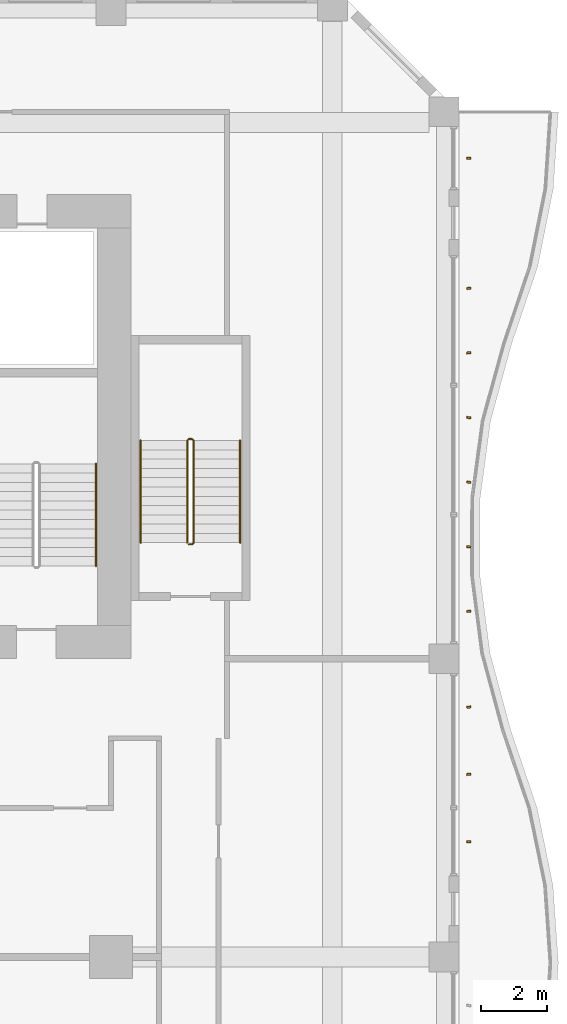
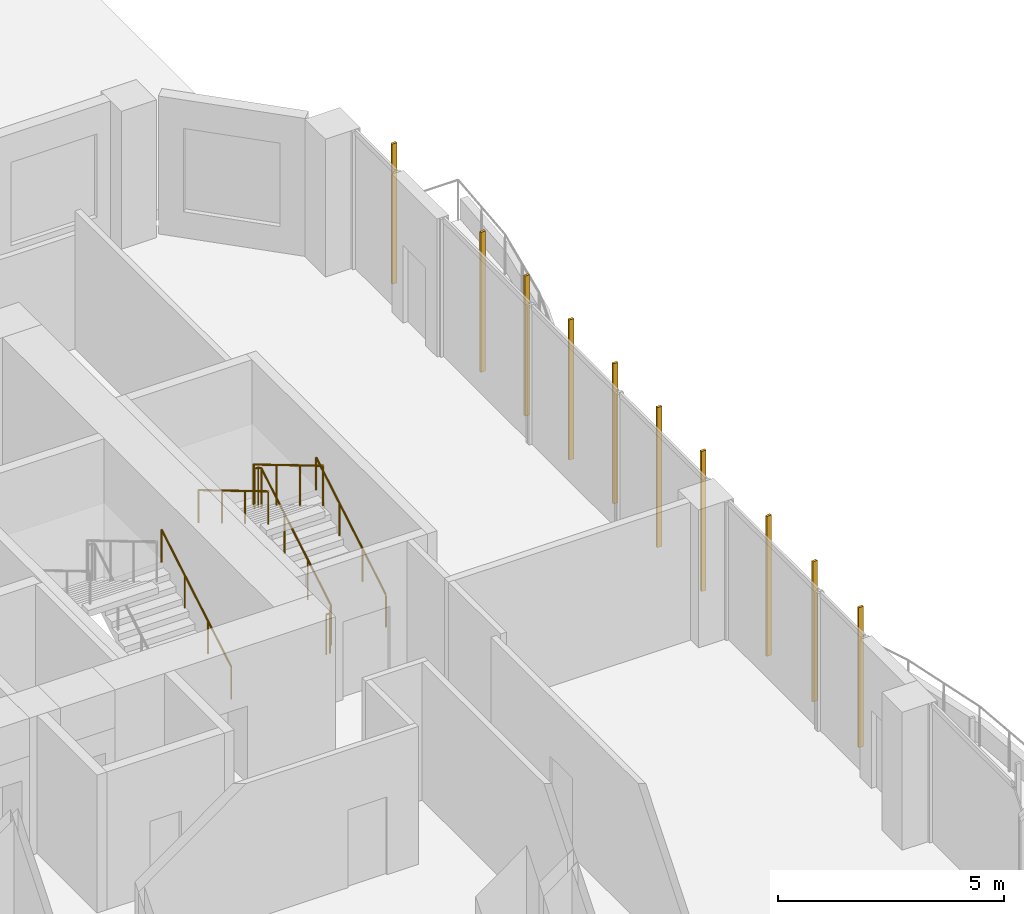
# One storey, part 29 of 29: 10 shading devices, 4 railings.
"""IFC4 building model written with IfcOpenShell, lengths in metres."""

import ifcopenshell
import ifcopenshell.guid

model = None  # the IFC model being written
_history = None  # IfcOwnerHistory: only IFC2X3 demands one
_inside = {}  # id of a spatial element -> (the spatial element, [elements in it])
_under = {}  # id of a project, library or spatial element -> (it, [spatial elements below it])
_declared = {}  # id of a project -> (the project, [libraries it declares])
_typed = {}  # id of a type object -> (the type object, [elements of that type])
_made_of = {}  # id of a material, layer set ... -> (it, [elements and type objects made of it])


def new_model(schema):
    """Start an empty IFC model of exactly this schema.

    Asked for "IFC4X3", IfcOpenShell would pick the latest addendum, in which some entities
    have other attributes; the version numbers below select the first issue.
    IFC2X3 requires an IfcOwnerHistory on every rooted entity: one is made here for all.
    """
    global model, _history
    if schema == "IFC4X3":
        model = ifcopenshell.file(schema_version=(4, 3, 0, 0))
    else:
        model = ifcopenshell.file(schema=schema)
    _inside.clear()
    _under.clear()
    _declared.clear()
    _typed.clear()
    _made_of.clear()
    _history = None
    if model.schema == "IFC2X3":
        org = make("IfcOrganization", Name="unknown")
        user = make(
            "IfcPersonAndOrganization",
            ThePerson=make("IfcPerson", FamilyName="unknown"),
            TheOrganization=org,
        )
        app = make(
            "IfcApplication",
            ApplicationDeveloper=org,
            Version="unknown",
            ApplicationFullName="unknown",
            ApplicationIdentifier="unknown",
        )
        _history = make(
            "IfcOwnerHistory",
            OwningUser=user,
            OwningApplication=app,
            ChangeAction="ADDED",
            CreationDate=0,
        )
    return model


def make(cls, **values):
    """One entity of the class cls with the attributes given. An attribute that is None is left unset."""
    return model.create_entity(
        cls, **{name: value for name, value in values.items() if value is not None}
    )


def rooted(cls, **values):
    """An entity with a GlobalId (a new one), such as an element, a storey or a relation."""
    return make(cls, GlobalId=ifcopenshell.guid.new(), OwnerHistory=_history, **values)


def si_unit(unit_type, name, prefix=None):
    """IfcSIUnit, for example si_unit("LENGTHUNIT", "METRE", prefix="MILLI")."""
    return make("IfcSIUnit", UnitType=unit_type, Prefix=prefix, Name=name)


def assignment(units):
    """IfcUnitAssignment: the units of a project."""
    return None if units is None else make("IfcUnitAssignment", Units=units)


def point(xyz):
    """IfcCartesianPoint."""
    return None if xyz is None else make("IfcCartesianPoint", Coordinates=xyz)


def direction(xyz):
    """IfcDirection."""
    return None if xyz is None else make("IfcDirection", DirectionRatios=xyz)


def frame(location, z_axis=None, x_axis=None):
    """IfcAxis2Placement3D, a coordinate frame: its origin and axes. An axis left out is left unset."""
    return make(
        "IfcAxis2Placement3D",
        Location=point(location),
        Axis=direction(z_axis),
        RefDirection=direction(x_axis),
    )


def frame_2d(location, x_axis=None):
    """IfcAxis2Placement2D, a coordinate frame in the plane: its origin and x axis."""
    return make(
        "IfcAxis2Placement2D", Location=point(location), RefDirection=direction(x_axis)
    )


def origin():
    """The frame at (0, 0, 0) with its axes left unset."""
    return frame((0.0, 0.0, 0.0))


def origin_2d():
    """The frame at (0, 0) in the plane with its x axis left unset."""
    return frame_2d((0.0, 0.0))


def place(relative_to, where):
    """IfcLocalPlacement: puts the frame where relative to a parent placement (None: the world)."""
    return make(
        "IfcLocalPlacement", PlacementRelTo=relative_to, RelativePlacement=where
    )


def context(
    kind, dimensions, precision=None, world=None, true_north=None, identifier=None
):
    """IfcGeometricRepresentationContext, for example the 3D "Model" context."""
    return make(
        "IfcGeometricRepresentationContext",
        ContextIdentifier=identifier,
        ContextType=kind,
        CoordinateSpaceDimension=dimensions,
        Precision=precision,
        WorldCoordinateSystem=world,
        TrueNorth=true_north,
    )


def subcontext(parent, identifier, kind, view, scale=None):
    """IfcGeometricRepresentationSubContext, for example "Body" below "Model"."""
    return make(
        "IfcGeometricRepresentationSubContext",
        ContextIdentifier=identifier,
        ContextType=kind,
        ParentContext=parent,
        TargetScale=scale,
        TargetView=view,
    )


def project(units=None, contexts=None):
    """IfcProject with its units and contexts."""
    return rooted(
        "IfcProject",
        Name="project",
        RepresentationContexts=contexts,
        UnitsInContext=assignment(units),
    )


def spatial(cls, under=None, at=None, **own):
    """A site, building, storey or space (cls), placed at a placement, below another one or the project."""
    s = rooted(cls, ObjectPlacement=at, **own)
    if under is not None:
        _under.setdefault(under.id(), (under, []))[1].append(s)
    return s


def profile(cls, at=None, kind="AREA", **sizes):
    """A parametric profile (cls). Its sizes go by their IFC names, for example OverallWidth=200.0."""
    return make(cls, ProfileType=kind, Position=at, **sizes)


def rectangle(**sizes):
    """IfcRectangleProfileDef."""
    return profile("IfcRectangleProfileDef", **sizes)


def circle(**sizes):
    """IfcCircleProfileDef."""
    return profile("IfcCircleProfileDef", **sizes)


def extrude(swept, where, along, depth):
    """IfcExtrudedAreaSolid: the profile swept, set in the frame where, extruded along a direction by depth."""
    return make(
        "IfcExtrudedAreaSolid",
        SweptArea=swept,
        Position=where,
        ExtrudedDirection=direction(along),
        Depth=depth,
    )


def shape(context_of_items, identifier, shape_type, items):
    """IfcShapeRepresentation: the items that make up one representation, for example the "Body"."""
    return make(
        "IfcShapeRepresentation",
        ContextOfItems=context_of_items,
        RepresentationIdentifier=identifier,
        RepresentationType=shape_type,
        Items=items,
    )


def source(mapping_origin, context_of_items, identifier, shape_type, items):
    """IfcRepresentationMap: a shape defined once, which mapped items show again and again."""
    return make(
        "IfcRepresentationMap",
        MappingOrigin=mapping_origin,
        MappedRepresentation=shape(context_of_items, identifier, shape_type, items),
    )


def transform(
    local_origin,
    x_axis=None,
    y_axis=None,
    z_axis=None,
    scale=None,
    scale2=None,
    scale3=None,
    uniform=True,
):
    """IfcCartesianTransformationOperator3D, or its non-uniform kind. x_axis, y_axis, z_axis: its Axis1, 2, 3."""
    if uniform:
        return make(
            "IfcCartesianTransformationOperator3D",
            Axis1=direction(x_axis),
            Axis2=direction(y_axis),
            LocalOrigin=point(local_origin),
            Scale=scale,
            Axis3=direction(z_axis),
        )
    return make(
        "IfcCartesianTransformationOperator3DnonUniform",
        Axis1=direction(x_axis),
        Axis2=direction(y_axis),
        LocalOrigin=point(local_origin),
        Scale=scale,
        Axis3=direction(z_axis),
        Scale2=scale2,
        Scale3=scale3,
    )


def mapped(mapping_source, mapping_target):
    """IfcMappedItem: shows the shape of a source again, moved by a transform."""
    return make(
        "IfcMappedItem", MappingSource=mapping_source, MappingTarget=mapping_target
    )


def material(Name=None, Category=None):
    """IfcMaterial."""
    return make("IfcMaterial", Name=Name, Category=Category)


def material_profile(
    of_material, cross_section, Name=None, Category=None, Priority=None
):
    """IfcMaterialProfile: a cross section and its material."""
    return make(
        "IfcMaterialProfile",
        Name=Name,
        Material=of_material,
        Profile=cross_section,
        Priority=Priority,
        Category=Category,
    )


def profile_set(profiles, Name=None, composite=None):
    """IfcMaterialProfileSet."""
    return make(
        "IfcMaterialProfileSet",
        Name=Name,
        MaterialProfiles=profiles,
        CompositeProfile=composite,
    )


def made_of(thing, what):
    """Note that an element or type object is made of a material, layer set ...; save() writes the relation."""
    if what is not None:
        _made_of.setdefault(what.id(), (what, []))[1].append(thing)
    return thing


def type_object(cls, material=None, **own):
    """A type object (cls), such as IfcWallType, which elements share."""
    return made_of(rooted(cls, **own), material)


def element(
    cls,
    number,
    at=None,
    inside=None,
    cuts=None,
    type_object=None,
    material=None,
    context=None,
    identifier="Body",
    shape_type=None,
    held_by="IfcProductDefinitionShape",
    body=None,
    shapes=None,
    **own,
):
    """One element of the class cls, such as IfcWall. Its Tag is "e" and its number.

    at: its placement. inside: the storey or other place that contains it. cuts: it is an
    opening in that element (IfcRelVoidsElement). A single representation is given by context,
    identifier, shape_type and body (its items); several are given by shapes. held_by: the class
    of the entity that holds the representations. save() writes the other relations.
    """
    e = rooted(cls, Tag="e%d" % number, ObjectPlacement=at, **own)
    if body is not None:
        shapes = [shape(context, identifier, shape_type, body)]
    if shapes is not None:
        e.Representation = make(held_by, Representations=shapes)
    if inside is not None:
        _inside.setdefault(inside.id(), (inside, []))[1].append(e)
    if cuts is not None:
        rooted(
            "IfcRelVoidsElement", RelatingBuildingElement=cuts, RelatedOpeningElement=e
        )
    if type_object is not None:
        _typed.setdefault(type_object.id(), (type_object, []))[1].append(e)
    return made_of(e, material)


def aggregate(whole, parts):
    """IfcRelAggregates: a whole, such as a stair, and the parts it consists of."""
    return rooted("IfcRelAggregates", RelatingObject=whole, RelatedObjects=parts)


def save(model, path):
    """Write the relations noted so far, then the file.

    IfcRelAggregates (storeys below a building ...), IfcRelContainedInSpatialStructure (elements
    in a storey), IfcRelDefinesByType, IfcRelAssociatesMaterial and IfcRelDeclares: one each for
    every whole, place, type object, material and project.
    """
    for whole, parts in _under.values():
        aggregate(whole, parts)
    for where, things in _inside.values():
        rooted(
            "IfcRelContainedInSpatialStructure",
            RelatedElements=things,
            RelatingStructure=where,
        )
    for kind, things in _typed.values():
        rooted("IfcRelDefinesByType", RelatedObjects=things, RelatingType=kind)
    for what, things in _made_of.values():
        rooted("IfcRelAssociatesMaterial", RelatedObjects=things, RelatingMaterial=what)
    for by, libraries in _declared.values():
        rooted("IfcRelDeclares", RelatingContext=by, RelatedDefinitions=libraries)
    model.write(path)


model = new_model("IFC4")

# Units and contexts
model_context = context("Model", 3, precision=1e-05, world=origin(), true_north=direction((0.0, 1.0)))
body_context = subcontext(model_context, "Body", "Model", "MODEL_VIEW")
ifc_project = project(units=[si_unit("LENGTHUNIT", "METRE"), si_unit("AREAUNIT", "SQUARE_METRE"), si_unit("VOLUMEUNIT", "CUBIC_METRE"), si_unit("PLANEANGLEUNIT", "RADIAN"), si_unit("MASSUNIT", "GRAM", prefix="KILO")], contexts=[model_context])

# Site, building, storey
site_placement = place(None, origin())
site = spatial("IfcSite", under=ifc_project, at=site_placement, CompositionType="ELEMENT")
building_placement = place(site_placement, origin())
building = spatial("IfcBuilding", under=site, at=building_placement, Name="Kilnfold Tower and Market Hall", CompositionType="ELEMENT")
storey_placement = place(building_placement, frame((0.0, 0.0, 27.0)))
storey = spatial("IfcBuildingStorey", under=building, at=storey_placement, Name="L05", CompositionType="ELEMENT", Elevation=27.0)

# Railings
ifc_material_1 = material(Name="Stainless steel 316", Category="steel")
railing_type_1 = type_object("IfcRailingType", Name="CORE STAIR GUARD 1100", PredefinedType="GUARDRAIL", material=ifc_material_1)
railing_1_placement = place(storey_placement, frame((19.85009765625, 11.449951171875, 0.0)))
element("IfcRailing", 1, at=railing_1_placement, inside=storey, type_object=railing_type_1, Name="L05 ST5 stair guard 1", PredefinedType="GUARDRAIL", context=body_context, shape_type="SweptSolid", body=[
    extrude(circle(Radius=0.02392578125, at=origin_2d()), frame((0.0, 0.0, 1.076171875), z_axis=(1.0, 0.0, 0.0), x_axis=(0.0, 1.0, 0.0)), (0.0, 0.0, 1.0), 0.099853515625),
    extrude(circle(Radius=0.02392578125, at=origin_2d()), frame((0.099853515625, 0.0, 1.076171875), z_axis=(0.27628659633, 0.27628659633, 0.920506074601), x_axis=(-0.707106781187, 0.707106781187, 0.0)), (0.0, 0.0, 1.0), 0.18115234375),
    extrude(circle(Radius=0.02392578125, at=origin_2d()), frame((0.14990234375, 0.050048828125, 1.24267578125), z_axis=(0.0, 0.859308565015, 0.511457515432), x_axis=(-1.0, 0.0, 0.0)), (0.0, 0.0, 1.0), 3.58447265625),
    extrude(circle(Radius=0.02392578125, at=origin_2d()), frame((0.14990234375, 3.130126953125, 3.076171875), z_axis=(-0.708833529934, 0.705375805398, 0.0), x_axis=(-0.705375805398, -0.708833529934, 0.0)), (0.0, 0.0, 1.0), 0.070556640625),
    extrude(circle(Radius=0.02392578125, at=origin_2d()), frame((0.099853515625, 3.179931640625, 3.076171875), z_axis=(-1.0, 0.0, 0.0), x_axis=(0.0, -1.0, 0.0)), (0.0, 0.0, 1.0), 0.099853515625),
    extrude(circle(Radius=0.02392578125, at=origin_2d()), frame((0.0, 3.179931640625, 3.076171875), z_axis=(-0.276389281352, -0.275041040955, 0.920848191041), x_axis=(0.705375805398, -0.708833529934, 0.0)), (0.0, 0.0, 1.0), 0.18115234375),
    extrude(circle(Radius=0.02392578125, at=origin_2d()), frame((-0.050048828125, 3.130126953125, 3.24267578125), z_axis=(0.0, -0.859308565015, 0.511457515432), x_axis=(1.0, 0.0, 0.0)), (0.0, 0.0, 1.0), 3.58447265625),
    extrude(circle(Radius=0.02099609375, at=origin_2d()), origin(), (0.0, 0.0, 1.0), 1.052001953125),
    extrude(circle(Radius=0.02099609375, at=origin_2d()), frame((0.099853515625, 0.0, 0.0)), (0.0, 0.0, 1.0), 1.052001953125),
    extrude(circle(Radius=0.02099609375, at=origin_2d()), frame((0.14990234375, 0.050048828125, 0.166748046875)), (0.0, 0.0, 1.0), 1.052001953125),
    extrude(circle(Radius=0.02099609375, at=origin_2d()), frame((0.14990234375, 1.07666015625, 0.77783203125)), (0.0, 0.0, 1.0), 1.052001953125),
    extrude(circle(Radius=0.02099609375, at=origin_2d()), frame((0.14990234375, 2.103515625, 1.388916015625)), (0.0, 0.0, 1.0), 1.052001953125),
    extrude(circle(Radius=0.02099609375, at=origin_2d()), frame((0.14990234375, 3.130126953125, 2.0)), (0.0, 0.0, 1.0), 1.052001953125),
    extrude(circle(Radius=0.02099609375, at=origin_2d()), frame((0.099853515625, 3.179931640625, 2.0)), (0.0, 0.0, 1.0), 1.052001953125),
    extrude(circle(Radius=0.02099609375, at=origin_2d()), frame((0.0, 3.179931640625, 2.0)), (0.0, 0.0, 1.0), 1.052001953125),
    extrude(circle(Radius=0.02099609375, at=origin_2d()), frame((-0.050048828125, 3.130126953125, 2.166748046875)), (0.0, 0.0, 1.0), 1.052001953125),
    extrude(circle(Radius=0.02099609375, at=origin_2d()), frame((-0.050048828125, 2.103515625, 2.77783203125)), (0.0, 0.0, 1.0), 1.052001953125),
    extrude(circle(Radius=0.02099609375, at=origin_2d()), frame((-0.050048828125, 1.07666015625, 3.388916015625)), (0.0, 0.0, 1.0), 1.052001953125),
    extrude(circle(Radius=0.02099609375, at=origin_2d()), frame((-0.050048828125, 0.050048828125, 4.0)), (0.0, 0.0, 1.0), 1.052001953125),
])
ifc_material_2 = material(Name="Stainless steel 316", Category="steel")
railing_type_2 = type_object("IfcRailingType", Name="CORE STAIR HANDRAIL 900", PredefinedType="HANDRAIL", material=ifc_material_2)
railing_2_placement = place(storey_placement, frame((17.050048828125, 10.800048828125, 0.166748046875)))
element("IfcRailing", 2, at=railing_2_placement, inside=storey, type_object=railing_type_2, Name="L05 ST2 stair handrail 1", PredefinedType="HANDRAIL", context=body_context, shape_type="SweptSolid", body=[
    extrude(circle(Radius=0.02392578125, at=origin_2d()), frame((0.0, 0.0, 0.8759765625), z_axis=(0.0, 0.859290745958, 0.51148745235), x_axis=(-1.0, 0.0, 0.0)), (0.0, 0.0, 1.0), 3.584228515625),
    extrude(circle(Radius=0.02099609375, at=origin_2d()), origin(), (0.0, 0.0, 1.0), 0.851806640625),
    extrude(circle(Radius=0.02099609375, at=origin_2d()), frame((0.0, 1.026611328125, 0.611083984375)), (0.0, 0.0, 1.0), 0.851806640625),
    extrude(circle(Radius=0.02099609375, at=origin_2d()), frame((0.0, 2.05322265625, 1.22216796875)), (0.0, 0.0, 1.0), 0.851806640625),
    extrude(circle(Radius=0.02099609375, at=origin_2d()), frame((0.0, 3.079833984375, 1.833251953125)), (0.0, 0.0, 1.0), 0.851806640625),
])
railing_3_placement = place(storey_placement, frame((21.39990234375, 11.5, 0.166748046875)))
element("IfcRailing", 3, at=railing_3_placement, inside=storey, type_object=railing_type_2, Name="L05 ST5 stair handrail 1", PredefinedType="HANDRAIL", context=body_context, shape_type="SweptSolid", body=[
    extrude(circle(Radius=0.02392578125, at=origin_2d()), frame((0.0, 0.0, 0.8759765625), z_axis=(0.0, 0.859308565015, 0.511457515432), x_axis=(-1.0, 0.0, 0.0)), (0.0, 0.0, 1.0), 3.58447265625),
    extrude(circle(Radius=0.02099609375, at=origin_2d()), origin(), (0.0, 0.0, 1.0), 0.851806640625),
    extrude(circle(Radius=0.02099609375, at=origin_2d()), frame((0.0, 1.026611328125, 0.611083984375)), (0.0, 0.0, 1.0), 0.851806640625),
    extrude(circle(Radius=0.02099609375, at=origin_2d()), frame((0.0, 2.053466796875, 1.22216796875)), (0.0, 0.0, 1.0), 0.851806640625),
    extrude(circle(Radius=0.02099609375, at=origin_2d()), frame((0.0, 3.080078125, 1.833251953125)), (0.0, 0.0, 1.0), 0.851806640625),
])
railing_4_placement = place(storey_placement, frame((18.39990234375, 14.580078125, 2.166748046875)))
element("IfcRailing", 4, at=railing_4_placement, inside=storey, type_object=railing_type_2, Name="L05 ST5 stair handrail 2", PredefinedType="HANDRAIL", context=body_context, shape_type="SweptSolid", body=[
    extrude(circle(Radius=0.02392578125, at=origin_2d()), frame((0.0, 0.0, 0.8759765625), z_axis=(0.0, -0.859308565015, 0.511457515432), x_axis=(1.0, 0.0, 0.0)), (0.0, 0.0, 1.0), 3.58447265625),
    extrude(circle(Radius=0.02099609375, at=origin_2d()), origin(), (0.0, 0.0, 1.0), 0.851806640625),
    extrude(circle(Radius=0.02099609375, at=origin_2d()), frame((0.0, -1.026611328125, 0.611083984375)), (0.0, 0.0, 1.0), 0.851806640625),
    extrude(circle(Radius=0.02099609375, at=origin_2d()), frame((0.0, -2.053466796875, 1.22216796875)), (0.0, 0.0, 1.0), 0.851806640625),
    extrude(circle(Radius=0.02099609375, at=origin_2d()), frame((0.0, -3.080078125, 1.833251953125)), (0.0, 0.0, 1.0), 0.851806640625),
])

# Shading devices
ifc_material_3 = material(Name="Terracotta", Category="masonry")
ifc_material_profile = material_profile(ifc_material_3, rectangle(XDim=0.06005859375, YDim=0.1201171875, at=origin_2d()), Name="BAG 60x120")
ifc_profile_set = profile_set([ifc_material_profile], Name="Terracotta")
shading_device_type = type_object("IfcShadingDeviceType", Name="BAGUETTE", PredefinedType="USERDEFINED", material=ifc_profile_set)
shared_shape = source(origin(), body_context, "Body", "SweptSolid", [
    extrude(rectangle(XDim=0.06005859375, YDim=0.1201171875, at=origin_2d()), origin(), (0.0, 0.0, 1.0), 3.780029296875),
])
for number, where, z_axis, x_axis, name in (
    (5, (28.300048828125, 2.47509765625, 0.0), (0.0, 0.0, 1.0), (0.007593854588, 0.999971166271, 0.0), "Terracotta baguette L05 E"),
    (6, (28.300048828125, 4.512451171875, 0.0), (0.0, 0.0, 1.0), (-0.105618462663, 0.994406727826, 0.0), "Terracotta baguette L05 E"),
    (7, (28.300048828125, 6.53759765625, 0.0), (0.0, 0.0, 1.0), (-0.136469456065, 0.990644279023, 0.0), "Terracotta baguette L05 E"),
    (8, (28.300048828125, 9.425048828125, 0.0), (0.0, 0.0, 1.0), (-0.010721352186, 0.999942524652, 0.0), "Terracotta baguette L05 E"),
    (9, (28.300048828125, 11.375, 0.0), (0.0, 0.0, 1.0), (0.099830326326, 0.995004475339, 0.0), "Terracotta baguette L05 E"),
    (10, (28.300048828125, 13.324951171875, 0.0), (0.0, 0.0, 1.0), (0.138445430704, 0.99037006352, 0.0), "Terracotta baguette L05 E"),
    (11, (28.300048828125, 15.27490234375, 0.0), (0.0, 0.0, 1.0), (0.077949280439, 0.996957325907, 0.0), "Terracotta baguette L05 E"),
    (12, (28.300048828125, 17.22509765625, 0.0), (0.0, 0.0, 1.0), (-0.038869160427, 0.999244308649, 0.0), "Terracotta baguette L05 E"),
    (13, (28.300048828125, 19.175048828125, 0.0), (0.0, 0.0, 1.0), (-0.127512971842, 0.991836902929, 0.0), "Terracotta baguette L05 E"),
    (14, (28.300048828125, 23.10009765625, 0.0), (0.0, 0.0, 1.0), (-0.030835079448, 0.999524485881, 0.0), "Terracotta baguette L05 E"),
):
    element("IfcShadingDevice", number, at=place(storey_placement, frame(where, z_axis=z_axis, x_axis=x_axis)), inside=storey, type_object=shading_device_type, Name=name, ObjectType="BAGUETTE", PredefinedType="USERDEFINED", context=body_context, shape_type="MappedRepresentation", body=[
        mapped(shared_shape, transform((0.0, 0.0, 0.0))),
    ])

save(model, "model.ifc")
